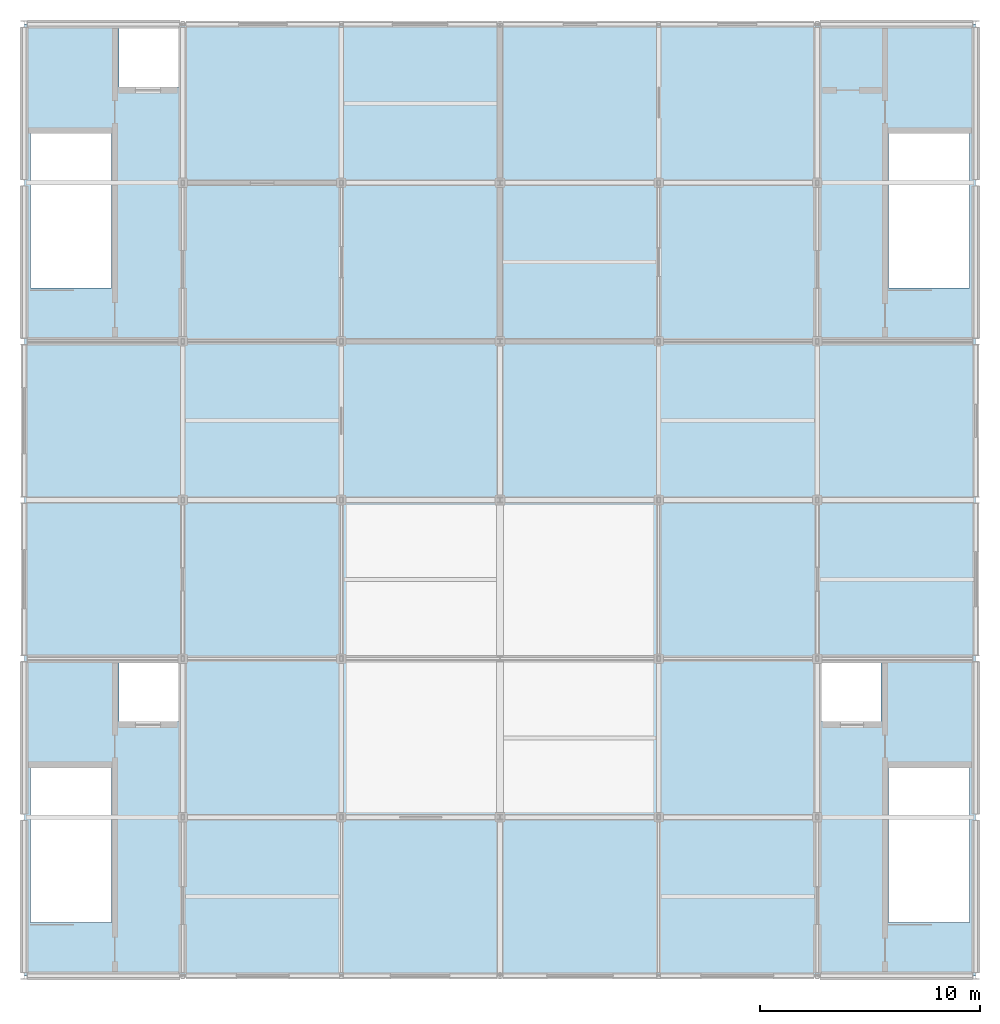
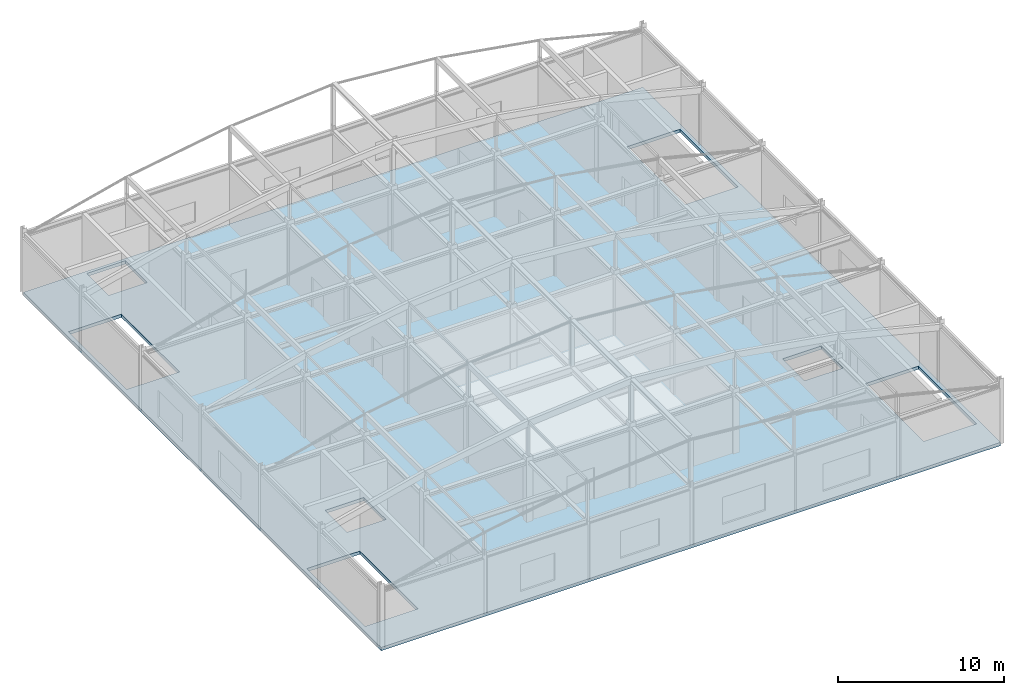
# One storey, part 15 of 23: 1 slab.
"""IFC4 building model written with IfcOpenShell, lengths in metres."""

from ifc_helpers import new_model, si_unit, direction, frame, origin, place, context, subcontext, project, spatial, polyline, outline, extrude, material, layer, layer_set, type_object, element, save


model = new_model("IFC4")

# Units and contexts
model_context = context("Model", 3, precision=1e-05, world=origin(), true_north=direction((0.0, 1.0)))
body_context = subcontext(model_context, "Body", "Model", "MODEL_VIEW")
ifc_project = project(units=[si_unit("LENGTHUNIT", "METRE"), si_unit("AREAUNIT", "SQUARE_METRE"), si_unit("VOLUMEUNIT", "CUBIC_METRE"), si_unit("PLANEANGLEUNIT", "RADIAN"), si_unit("MASSUNIT", "GRAM", prefix="KILO")], contexts=[model_context])

# Site, building, storey
site_placement = place(None, origin())
site = spatial("IfcSite", under=ifc_project, at=site_placement, CompositionType="ELEMENT")
building_placement = place(site_placement, origin())
building = spatial("IfcBuilding", under=site, at=building_placement, Name="Cendaluz Park School", CompositionType="ELEMENT")
storey_placement = place(building_placement, frame((0.0, 0.0, 67.199951171875)))
storey = spatial("IfcBuildingStorey", under=building, at=storey_placement, Name="L16", CompositionType="ELEMENT", Elevation=67.199951171875)

# Slab
ifc_material = material(Name="Cross-laminated timber CLT C24", Category="wood")
ifc_layer = layer(ifc_material, 0.239990234375)
ifc_layer_set = layer_set([ifc_layer], Name="Cross-laminated timber CLT C24")
slab_type = type_object("IfcSlabType", Name="SL-FL-240", PredefinedType="FLOOR", material=ifc_layer_set)
slab_placement = place(storey_placement, frame((0.0, 0.0, -0.239990234375)))
element("IfcSlab", 1, at=slab_placement, inside=storey, type_object=slab_type, Name="SL-L16-01", PredefinedType="FLOOR", context=body_context, shape_type="SweptSolid", body=[
    extrude(outline(polyline([(64.800048828125, 57.60009765625), (108.0, 57.60009765625), (108.0, 14.39990234375), (64.800048828125, 14.39990234375), (64.800048828125, 57.60009765625)]), holes=[polyline([(65.080078125, 16.820068359375), (68.77001953125, 16.820068359375), (68.77001953125, 23.840087890625), (65.080078125, 23.840087890625), (65.080078125, 16.820068359375)]), polyline([(69.10009765625, 28.60009765625), (69.10009765625, 25.93994140625), (71.800048828125, 25.93994140625), (71.800048828125, 28.60009765625), (69.10009765625, 28.60009765625)]), polyline([(107.719970703125, 23.840087890625), (104.030029296875, 23.840087890625), (104.030029296875, 16.820068359375), (107.719970703125, 16.820068359375), (107.719970703125, 23.840087890625)]), polyline([(103.699951171875, 25.93994140625), (103.699951171875, 28.60009765625), (101.0, 28.60009765625), (101.0, 25.93994140625), (103.699951171875, 25.93994140625)]), polyline([(65.080078125, 45.6201171875), (68.77001953125, 45.6201171875), (68.77001953125, 52.639892578125), (65.080078125, 52.639892578125), (65.080078125, 45.6201171875)]), polyline([(69.10009765625, 57.39990234375), (69.10009765625, 54.739990234375), (71.800048828125, 54.739990234375), (71.800048828125, 57.39990234375), (69.10009765625, 57.39990234375)]), polyline([(107.719970703125, 52.639892578125), (104.030029296875, 52.639892578125), (104.030029296875, 45.6201171875), (107.719970703125, 45.6201171875), (107.719970703125, 52.639892578125)])]), origin(), (0.0, 0.0, 1.0), 0.239990234375),
])

save(model, "model.ifc")
